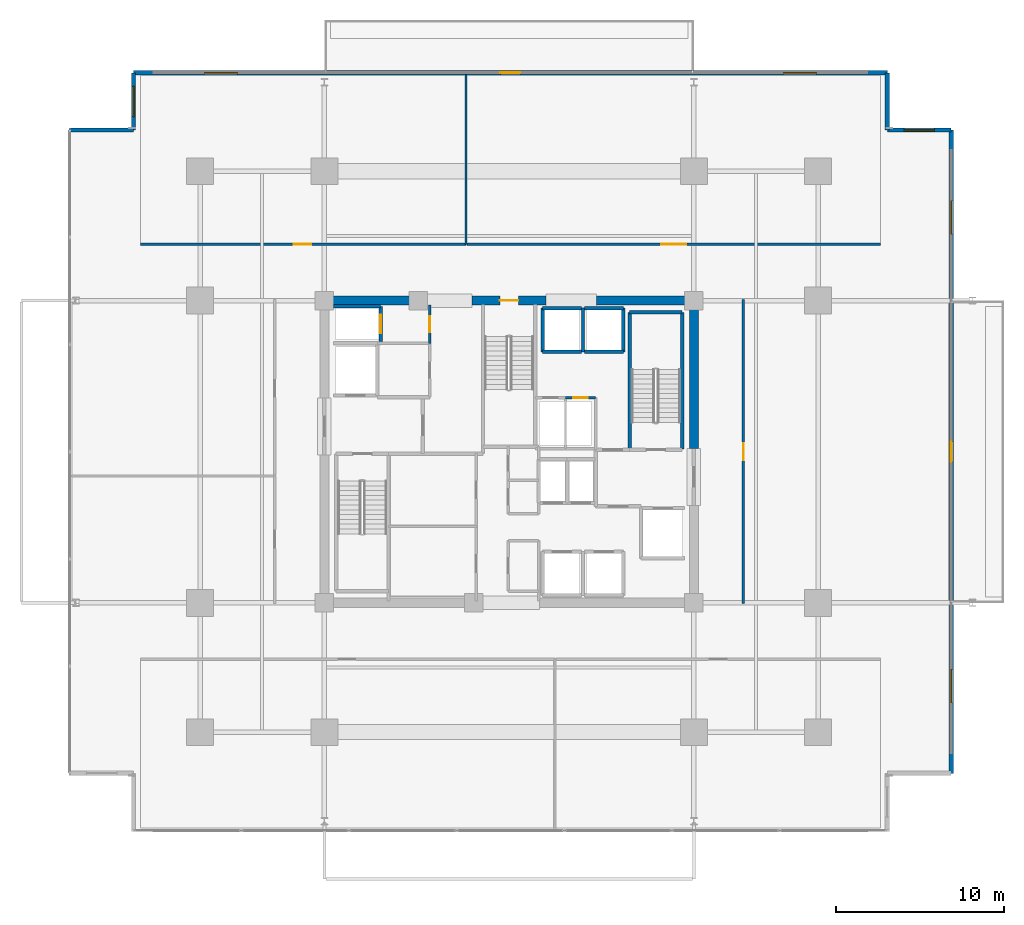
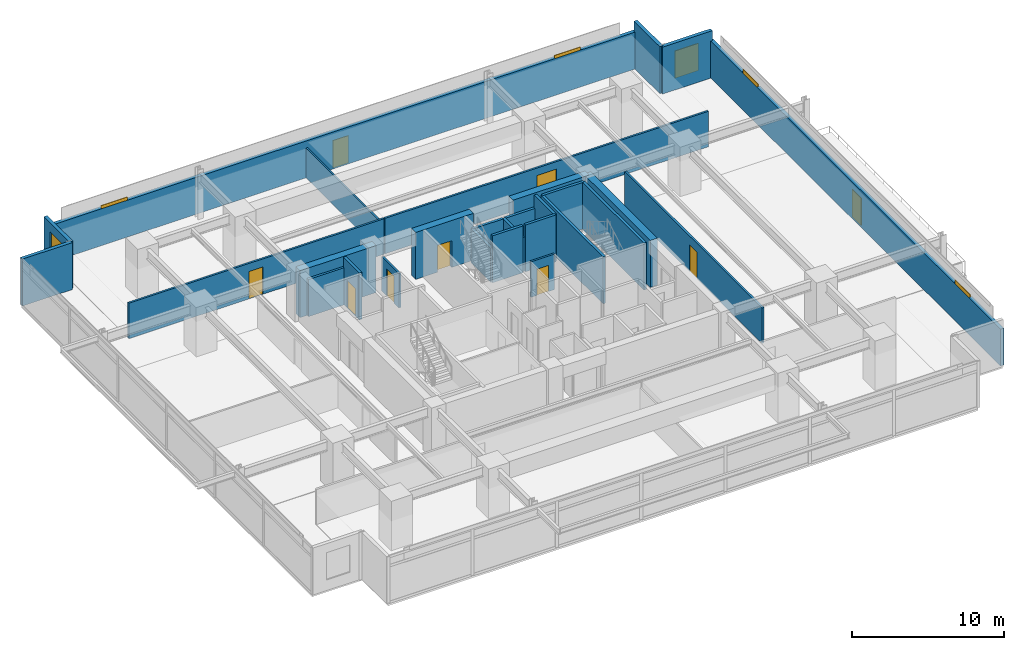
# One storey, part 18 of 24: 28 walls, 9 doors, 6 windows, 15 openings.
"""IFC4 building model written with IfcOpenShell, lengths in metres."""

from ifc_helpers import new_model, si_unit, direction, frame, frame_2d, origin, place, context, subcontext, project, spatial, rectangle, extrude, material, layer, layer_set, type_object, element, fill, save


model = new_model("IFC4")

# Units and contexts
model_context = context("Model", 3, precision=1e-05, world=origin(), true_north=direction((0.0, 1.0)))
body_context = subcontext(model_context, "Body", "Model", "MODEL_VIEW")
ifc_project = project(units=[si_unit("LENGTHUNIT", "METRE"), si_unit("AREAUNIT", "SQUARE_METRE"), si_unit("VOLUMEUNIT", "CUBIC_METRE"), si_unit("PLANEANGLEUNIT", "RADIAN"), si_unit("MASSUNIT", "GRAM", prefix="KILO")], contexts=[model_context])

# Site, building, storey
site_placement = place(None, origin())
site = spatial("IfcSite", under=ifc_project, at=site_placement, CompositionType="ELEMENT")
building_placement = place(site_placement, origin())
building = spatial("IfcBuilding", under=site, at=building_placement, Name="Kovane Verandah Tower", CompositionType="ELEMENT")
storey_placement = place(building_placement, frame((0.0, 0.0, 132.39990234375)))
storey = spatial("IfcBuildingStorey", under=building, at=storey_placement, Name="L30", CompositionType="ELEMENT", Elevation=132.39990234375)

# Wall, opening, door
ifc_material_1 = material(Name="Fire-Rated Gypsum Stud Partition", Category="gypsum")
ifc_layer_1 = layer(ifc_material_1, 0.14990234375)
ifc_layer_set_1 = layer_set([ifc_layer_1], Name="Fire-Rated Gypsum Stud Partition")
wall_type_1 = type_object("IfcWallType", Name="WL-COR-150", PredefinedType="PARTITIONING", material=ifc_layer_set_1)
wall_1_placement = place(storey_placement, frame((35.280029296875, 33.949951171875, 0.0), z_axis=(0.0, 0.0, 1.0), x_axis=(0.0, 1.0, 0.0)))
wall_1 = element("IfcWall", 1, at=wall_1_placement, inside=storey, type_object=wall_type_1, Name="L30 Goods Lift Lobby East Fire Partition", PredefinedType="PARTITIONING", context=body_context, shape_type="SweptSolid", body=[
    extrude(rectangle(XDim=2.27001953125, YDim=0.14990234375, at=frame_2d((1.135009765625, 0.0))), origin(), (0.0, 0.0, 1.0), 2.755126953125),
])
opening_1_placement = place(wall_1_placement, frame((0.659912109375, 0.0, 0.0)))
opening_1 = element("IfcOpeningElement", 2, at=opening_1_placement, cuts=wall_1, Name="Opening DR-L30-008", PredefinedType="OPENING", context=body_context, shape_type="SweptSolid", body=[
    extrude(rectangle(XDim=0.949951171875, YDim=2.14990234375, at=frame_2d((0.47509765625, 1.074951171875))), frame((0.0, 0.074951171875, 0.0), z_axis=(0.0, -1.0, 0.0), x_axis=(1.0, 0.0, 0.0)), (0.0, 0.0, 1.0), 0.14990234375),
])
ifc_material_2 = material(Name="Fire-Rated Steel Refuge and Lobby Door", Category="steel")
door_type_1 = type_object("IfcDoorType", Name="DR-FIRE-950", OperationType="SINGLE_SWING_LEFT", PredefinedType="DOOR", material=ifc_material_2)
door_1_placement = place(opening_1_placement, origin())
door_1 = element("IfcDoor", 3, at=door_1_placement, inside=storey, type_object=door_type_1, Name="L30 Goods Lift Lobby Fire Door", OperationType="SINGLE_SWING_LEFT", OverallHeight=2.14990234375, OverallWidth=0.949951171875, PredefinedType="DOOR", context=body_context, shape_type="SweptSolid", body=[
    extrude(rectangle(XDim=0.949951171875, YDim=2.14990234375, at=frame_2d((0.47509765625, 1.074951171875))), frame((0.0, 0.02490234375, 0.0), z_axis=(0.0, -1.0, 0.0), x_axis=(1.0, 0.0, 0.0)), (0.0, 0.0, 1.0), 0.050048828125),
])
fill(opening_1, door_1)

wall_2_placement = place(storey_placement, frame((43.360107421875, 30.719970703125, 0.0), z_axis=(0.0, 0.0, 1.0), x_axis=(1.0, 0.0, 0.0)))
wall_2 = element("IfcWall", 4, at=wall_2_placement, inside=storey, type_object=wall_type_1, Name="L30 Smoke Extract Duct Room Partition", PredefinedType="PARTITIONING", context=body_context, shape_type="SweptSolid", body=[
    extrude(rectangle(XDim=1.789794921875, YDim=0.14990234375, at=frame_2d((0.89501953125, 0.0))), origin(), (0.0, 0.0, 1.0), 2.85009765625),
])
opening_2_placement = place(wall_2_placement, frame((0.455078125, 0.0, 0.0)))
opening_2 = element("IfcOpeningElement", 5, at=opening_2_placement, cuts=wall_2, Name="Opening DR-L30-016", PredefinedType="OPENING", context=body_context, shape_type="SweptSolid", body=[
    extrude(rectangle(XDim=0.8798828125, YDim=2.10009765625, at=frame_2d((0.43994140625, 1.050048828125))), frame((0.0, 0.074951171875, 0.0), z_axis=(0.0, -1.0, 0.0), x_axis=(1.0, 0.0, 0.0)), (0.0, 0.0, 1.0), 0.14990234375),
])
ifc_material_3 = material(Name="Fire-Rated Steel Riser Access Door", Category="steel")
door_type_2 = type_object("IfcDoorType", Name="DR-RISER-880", OperationType="SINGLE_SWING_LEFT", PredefinedType="DOOR", material=ifc_material_3)
door_2_placement = place(opening_2_placement, origin())
door_2 = element("IfcDoor", 6, at=door_2_placement, inside=storey, type_object=door_type_2, Name="L30 Smoke Extract Duct Room Door", OperationType="SINGLE_SWING_RIGHT", OverallHeight=2.10009765625, OverallWidth=0.8798828125, PredefinedType="DOOR", context=body_context, shape_type="SweptSolid", body=[
    extrude(rectangle(XDim=0.8798828125, YDim=2.10009765625, at=frame_2d((0.43994140625, 1.050048828125))), frame((0.0, 0.02490234375, 0.0), z_axis=(0.0, -1.0, 0.0), x_axis=(1.0, 0.0, 0.0)), (0.0, 0.0, 1.0), 0.050048828125),
])
fill(opening_2, door_2)

wall_3_placement = place(storey_placement, frame((18.03759765625, 39.85009765625, 0.0), z_axis=(0.0, 0.0, 1.0), x_axis=(1.0, 0.0, 0.0)))
wall_3 = element("IfcWall", 7, at=wall_3_placement, inside=storey, type_object=wall_type_1, Name="L30 Executive Office N1 Corridor Partition", PredefinedType="PARTITIONING", context=body_context, shape_type="SweptSolid", body=[
    extrude(rectangle(XDim=19.393798828125, YDim=0.14990234375, at=frame_2d((9.69677734375, 0.0))), origin(), (0.0, 0.0, 1.0), 2.85009765625),
])
opening_3_placement = place(wall_3_placement, frame((9.13671875, 0.0, 0.0)))
opening_3 = element("IfcOpeningElement", 8, at=opening_3_placement, cuts=wall_3, Name="Opening DR-L30-017", PredefinedType="OPENING", context=body_context, shape_type="SweptSolid", body=[
    extrude(rectangle(XDim=1.050048828125, YDim=2.199951171875, at=frame_2d((0.52490234375, 1.10009765625))), frame((0.0, 0.074951171875, 0.0), z_axis=(0.0, -1.0, 0.0), x_axis=(1.0, 0.0, 0.0)), (0.0, 0.0, 1.0), 0.14990234375),
])
ifc_material_4 = material(Name="FSC Blackbutt Timber Fire-Rated Executive Door", Category="wood")
door_type_3 = type_object("IfcDoorType", Name="DR-EXEC-1050", OperationType="SINGLE_SWING_LEFT", PredefinedType="DOOR", material=ifc_material_4)
door_3_placement = place(opening_3_placement, origin())
door_3 = element("IfcDoor", 9, at=door_3_placement, inside=storey, type_object=door_type_3, Name="L30 Executive Office N1 Entrance Door", OperationType="SINGLE_SWING_LEFT", OverallHeight=2.199951171875, OverallWidth=1.050048828125, PredefinedType="DOOR", context=body_context, shape_type="SweptSolid", body=[
    extrude(rectangle(XDim=1.050048828125, YDim=2.199951171875, at=frame_2d((0.52490234375, 1.10009765625))), frame((0.0, 0.02490234375, 0.0), z_axis=(0.0, -1.0, 0.0), x_axis=(1.0, 0.0, 0.0)), (0.0, 0.0, 1.0), 0.050048828125),
])
fill(opening_3, door_3)

wall_4_placement = place(storey_placement, frame((37.501220703125, 39.85009765625, 0.0), z_axis=(0.0, 0.0, 1.0), x_axis=(1.0, 0.0, 0.0)))
wall_4 = element("IfcWall", 10, at=wall_4_placement, inside=storey, type_object=wall_type_1, Name="L30 Client Boardroom N2 Corridor Partition", PredefinedType="PARTITIONING", context=body_context, shape_type="SweptSolid", body=[
    extrude(rectangle(XDim=24.61279296875, YDim=0.14990234375, at=frame_2d((12.306396484375, 0.0))), origin(), (0.0, 0.0, 1.0), 2.85009765625),
])
opening_4_placement = place(wall_4_placement, frame((11.556396484375, 0.0, 0.0)))
opening_4 = element("IfcOpeningElement", 11, at=opening_4_placement, cuts=wall_4, Name="Opening DR-L30-018", PredefinedType="OPENING", context=body_context, shape_type="SweptSolid", body=[
    extrude(rectangle(XDim=1.5, YDim=2.25, at=frame_2d((0.75, 1.125))), frame((0.0, 0.074951171875, 0.0), z_axis=(0.0, -1.0, 0.0), x_axis=(1.0, 0.0, 0.0)), (0.0, 0.0, 1.0), 0.14990234375),
])
ifc_material_5 = material(Name="Glazed Timber Fire-Rated Double Door", Category="wood")
door_type_4 = type_object("IfcDoorType", Name="DR-CONF-1500", OperationType="DOUBLE_DOOR_SINGLE_SWING", PredefinedType="DOOR", material=ifc_material_5)
door_4_placement = place(opening_4_placement, origin())
door_4 = element("IfcDoor", 12, at=door_4_placement, inside=storey, type_object=door_type_4, Name="L30 Client Boardroom N2 Entrance Door", OperationType="DOUBLE_DOOR_SINGLE_SWING", OverallHeight=2.25, OverallWidth=1.5, PredefinedType="DOOR", context=body_context, shape_type="SweptSolid", body=[
    extrude(rectangle(XDim=1.5, YDim=2.25, at=frame_2d((0.75, 1.125))), frame((0.0, 0.02490234375, 0.0), z_axis=(0.0, -1.0, 0.0), x_axis=(1.0, 0.0, 0.0)), (0.0, 0.0, 1.0), 0.050048828125),
])
fill(opening_4, door_4)

wall_5_placement = place(storey_placement, frame((53.949951171875, 18.449951171875, 0.0), z_axis=(0.0, 0.0, 1.0), x_axis=(0.0, 1.0, 0.0)))
wall_5 = element("IfcWall", 13, at=wall_5_placement, inside=storey, type_object=wall_type_1, Name="L30 Document and Print Room E1 Corridor Partition", PredefinedType="PARTITIONING", context=body_context, shape_type="SweptSolid", body=[
    extrude(rectangle(XDim=18.10009765625, YDim=0.14990234375, at=frame_2d((9.050048828125, 0.0))), origin(), (0.0, 0.0, 1.0), 2.85009765625),
])
opening_5_placement = place(wall_5_placement, frame((8.550048828125, 0.0, 0.0)))
opening_5 = element("IfcOpeningElement", 14, at=opening_5_placement, cuts=wall_5, Name="Opening DR-L30-012", PredefinedType="OPENING", context=body_context, shape_type="SweptSolid", body=[
    extrude(rectangle(XDim=1.0, YDim=2.14990234375, at=frame_2d((0.5, 1.074951171875))), frame((0.0, 0.074951171875, 0.0), z_axis=(0.0, -1.0, 0.0), x_axis=(1.0, 0.0, 0.0)), (0.0, 0.0, 1.0), 0.14990234375),
])
ifc_material_6 = material(Name="FSC Spotted-Gum Timber Fire-Rated Office Door", Category="wood")
door_type_5 = type_object("IfcDoorType", Name="DR-OFF-1000", OperationType="SINGLE_SWING_LEFT", PredefinedType="DOOR", material=ifc_material_6)
door_5_placement = place(opening_5_placement, origin())
door_5 = element("IfcDoor", 15, at=door_5_placement, inside=storey, type_object=door_type_5, Name="L30 Document and Print Room E1 Entrance Door", OperationType="SINGLE_SWING_LEFT", OverallHeight=2.14990234375, OverallWidth=1.0, PredefinedType="DOOR", context=body_context, shape_type="SweptSolid", body=[
    extrude(rectangle(XDim=1.0, YDim=2.14990234375, at=frame_2d((0.5, 1.074951171875))), frame((0.0, 0.02490234375, 0.0), z_axis=(0.0, -1.0, 0.0), x_axis=(1.0, 0.0, 0.0)), (0.0, 0.0, 1.0), 0.050048828125),
])
fill(opening_5, door_5)

# Wall
ifc_material_7 = material(Name="Concrete C60/75", Category="concrete")
ifc_layer_2 = layer(ifc_material_7, 0.550048828125)
ifc_layer_set_2 = layer_set([ifc_layer_2], Name="Concrete C60/75")
wall_type_2 = type_object("IfcWallType", Name="WL-CORE-550", PredefinedType="SHEAR", material=ifc_layer_set_2)
wall_6_placement = place(storey_placement, frame((29.0, 36.5, 0.0), z_axis=(0.0, 0.0, 1.0), x_axis=(1.0, 0.0, 0.0)))
element("IfcWall", 16, at=wall_6_placement, inside=storey, type_object=wall_type_2, Name="L30 Core Shear Wall CN-1", PredefinedType="SHEAR", context=body_context, shape_type="SweptSolid", body=[
    extrude(rectangle(XDim=5.800048828125, YDim=0.550048828125, at=frame_2d((2.89990234375, 0.0))), origin(), (0.0, 0.0, 1.0), 3.775146484375),
])

# Wall, opening, door
wall_7_placement = place(storey_placement, frame((37.800048828125, 36.5, 0.0), z_axis=(0.0, 0.0, 1.0), x_axis=(1.0, 0.0, 0.0)))
wall_7 = element("IfcWall", 17, at=wall_7_placement, inside=storey, type_object=wall_type_2, Name="L30 Core Shear Wall CN-2", PredefinedType="SHEAR", context=body_context, shape_type="SweptSolid", body=[
    extrude(rectangle(XDim=4.39990234375, YDim=0.550048828125, at=frame_2d((2.199951171875, 0.0))), origin(), (0.0, 0.0, 1.0), 3.775146484375),
])
opening_6_placement = place(wall_7_placement, frame((1.64990234375, 0.0, 0.0)))
opening_6 = element("IfcOpeningElement", 18, at=opening_6_placement, cuts=wall_7, Name="Opening DR-L30-011", PredefinedType="OPENING", context=body_context, shape_type="SweptSolid", body=[
    extrude(rectangle(XDim=1.10009765625, YDim=2.14990234375, at=frame_2d((0.550048828125, 1.074951171875))), frame((0.0, 0.27490234375, 0.0), z_axis=(0.0, -1.0, 0.0), x_axis=(1.0, 0.0, 0.0)), (0.0, 0.0, 1.0), 0.550048828125),
])
ifc_material_8 = material(Name="Fire-Rated Steel Exit Door", Category="steel")
door_type_6 = type_object("IfcDoorType", Name="DR-STAIR-1100", OperationType="SINGLE_SWING_LEFT", PredefinedType="DOOR", material=ifc_material_8)
door_6_placement = place(opening_6_placement, origin())
door_6 = element("IfcDoor", 19, at=door_6_placement, inside=storey, type_object=door_type_6, Name="L30 ST-03 Fire Exit Stair Door", OperationType="SINGLE_SWING_LEFT", OverallHeight=2.14990234375, OverallWidth=1.10009765625, PredefinedType="DOOR", context=body_context, shape_type="SweptSolid", body=[
    extrude(rectangle(XDim=1.10009765625, YDim=2.14990234375, at=frame_2d((0.550048828125, 1.074951171875))), frame((0.0, 0.02490234375, 0.0), z_axis=(0.0, -1.0, 0.0), x_axis=(1.0, 0.0, 0.0)), (0.0, 0.0, 1.0), 0.050048828125),
])
fill(opening_6, door_6)

# Walls
wall_8_placement = place(storey_placement, frame((45.199951171875, 36.5, 0.0), z_axis=(0.0, 0.0, 1.0), x_axis=(1.0, 0.0, 0.0)))
element("IfcWall", 20, at=wall_8_placement, inside=storey, type_object=wall_type_2, Name="L30 Core Shear Wall CN-3", PredefinedType="SHEAR", context=body_context, shape_type="SweptSolid", body=[
    extrude(rectangle(XDim=5.800048828125, YDim=0.550048828125, at=frame_2d((2.89990234375, 0.0))), origin(), (0.0, 0.0, 1.0), 3.775146484375),
])
wall_9_placement = place(storey_placement, frame((51.0, 27.699951171875, 0.0), z_axis=(0.0, 0.0, 1.0), x_axis=(0.0, 1.0, 0.0)))
element("IfcWall", 21, at=wall_9_placement, inside=storey, type_object=wall_type_2, Name="L30 Core Shear Wall CE-2", PredefinedType="SHEAR", context=body_context, shape_type="SweptSolid", body=[
    extrude(rectangle(XDim=8.800048828125, YDim=0.550048828125, at=frame_2d((4.39990234375, 0.0))), origin(), (0.0, 0.0, 1.0), 3.775146484375),
])
ifc_material_9 = material(Name="Concrete C45/55 Lift Shaft Wall", Category="concrete")
ifc_layer_3 = layer(ifc_material_9, 0.199951171875)
ifc_layer_set_3 = layer_set([ifc_layer_3], Name="Concrete C45/55 Lift Shaft Wall")
wall_type_3 = type_object("IfcWallType", Name="WL-LIFT-200", PredefinedType="SOLIDWALL", material=ifc_layer_set_3)
wall_10_placement = place(storey_placement, frame((32.35009765625, 36.14990234375, 0.0), z_axis=(0.0, 0.0, 1.0), x_axis=(-1.0, 0.0, 0.0)))
element("IfcWall", 22, at=wall_10_placement, inside=storey, type_object=wall_type_3, Name="L30 Lift GL-01 N Shaft Wall", PredefinedType="SOLIDWALL", context=body_context, shape_type="SweptSolid", body=[
    extrude(rectangle(XDim=2.800048828125, YDim=0.199951171875, at=frame_2d((1.39990234375, 0.0))), origin(), (0.0, 0.0, 1.0), 2.9853515625),
])

# Wall, opening, door
wall_11_placement = place(storey_placement, frame((32.35009765625, 34.050048828125, 0.0), z_axis=(0.0, 0.0, 1.0), x_axis=(0.0, 1.0, 0.0)))
wall_11 = element("IfcWall", 23, at=wall_11_placement, inside=storey, type_object=wall_type_3, Name="L30 Lift GL-01 E Shaft Wall", PredefinedType="SOLIDWALL", context=body_context, shape_type="SweptSolid", body=[
    extrude(rectangle(XDim=2.099853515625, YDim=0.199951171875, at=frame_2d((1.0498046875, 0.0))), origin(), (0.0, 0.0, 1.0), 3.775146484375),
])
opening_7_placement = place(wall_11_placement, frame((0.5, 0.0, 0.0)))
opening_7 = element("IfcOpeningElement", 24, at=opening_7_placement, cuts=wall_11, Name="Opening LD-L30-003", PredefinedType="OPENING", context=body_context, shape_type="SweptSolid", body=[
    extrude(rectangle(XDim=1.10009765625, YDim=2.199951171875, at=frame_2d((0.550048828125, 1.10009765625))), frame((0.0, 0.10009765625, 0.0), z_axis=(0.0, -1.0, 0.0), x_axis=(1.0, 0.0, 0.0)), (0.0, 0.0, 1.0), 0.199951171875),
])
ifc_material_10 = material(Name="Brushed Stainless Steel Sliding Lift Landing Door", Category="steel")
door_type_7 = type_object("IfcDoorType", Name="DR-LIFT-1100", OperationType="SLIDING_TO_RIGHT", PredefinedType="DOOR", material=ifc_material_10)
door_7_placement = place(opening_7_placement, origin())
door_7 = element("IfcDoor", 25, at=door_7_placement, inside=storey, type_object=door_type_7, Name="L30 Lift GL-01 Sliding Landing Door", OperationType="SLIDING_TO_RIGHT", OverallHeight=2.199951171875, OverallWidth=1.10009765625, PredefinedType="DOOR", context=body_context, shape_type="SweptSolid", body=[
    extrude(rectangle(XDim=1.10009765625, YDim=2.199951171875, at=frame_2d((0.550048828125, 1.10009765625))), frame((0.0, 0.02490234375, 0.0), z_axis=(0.0, -1.0, 0.0), x_axis=(1.0, 0.0, 0.0)), (0.0, 0.0, 1.0), 0.050048828125),
])
fill(opening_7, door_7)

# Walls
wall_12_placement = place(storey_placement, frame((42.0, 33.449951171875, 0.0), z_axis=(0.0, 0.0, 1.0), x_axis=(1.0, 0.0, 0.0)))
element("IfcWall", 26, at=wall_12_placement, inside=storey, type_object=wall_type_3, Name="L30 Lift SL-01 S Shaft Wall", PredefinedType="SOLIDWALL", context=body_context, shape_type="SweptSolid", body=[
    extrude(rectangle(XDim=2.300048828125, YDim=0.199951171875, at=frame_2d((1.14990234375, 0.0))), origin(), (0.0, 0.0, 1.0), 3.775146484375),
])
wall_13_placement = place(storey_placement, frame((44.300048828125, 36.050048828125, 0.0), z_axis=(0.0, 0.0, 1.0), x_axis=(-1.0, 0.0, 0.0)))
element("IfcWall", 27, at=wall_13_placement, inside=storey, type_object=wall_type_3, Name="L30 Lift SL-01 N Shaft Wall", PredefinedType="SOLIDWALL", context=body_context, shape_type="SweptSolid", body=[
    extrude(rectangle(XDim=2.300048828125, YDim=0.199951171875, at=frame_2d((1.14990234375, 0.0))), origin(), (0.0, 0.0, 1.0), 2.755126953125),
])
for number, where, z_axis, x_axis, name in (
    (28, (42.0, 36.050048828125, 0.0), (0.0, 0.0, 1.0), (0.0, -1.0, 0.0), "L30 Lift SL-01 W Shaft Wall"),
    (29, (44.39990234375, 33.449951171875, 0.0), (0.0, 0.0, 1.0), (0.0, 1.0, 0.0), "L30 Lift OL-01 and SL-01 Shared Shaft Wall"),
):
    element("IfcWall", number, at=place(storey_placement, frame(where, z_axis=z_axis, x_axis=x_axis)), inside=storey, type_object=wall_type_3, Name=name, PredefinedType="SOLIDWALL", context=body_context, shape_type="SweptSolid", body=[
        extrude(rectangle(XDim=2.60009765625, YDim=0.199951171875, at=frame_2d((1.300048828125, 0.0))), origin(), (0.0, 0.0, 1.0), 2.755126953125),
    ])
wall_14_placement = place(storey_placement, frame((44.5, 33.449951171875, 0.0), z_axis=(0.0, 0.0, 1.0), x_axis=(1.0, 0.0, 0.0)))
element("IfcWall", 30, at=wall_14_placement, inside=storey, type_object=wall_type_3, Name="L30 Lift OL-01 S Shaft Wall", PredefinedType="SOLIDWALL", context=body_context, shape_type="SweptSolid", body=[
    extrude(rectangle(XDim=2.300048828125, YDim=0.199951171875, at=frame_2d((1.14990234375, 0.0))), origin(), (0.0, 0.0, 1.0), 3.775146484375),
])
wall_15_placement = place(storey_placement, frame((46.800048828125, 36.050048828125, 0.0), z_axis=(0.0, 0.0, 1.0), x_axis=(-1.0, 0.0, 0.0)))
element("IfcWall", 31, at=wall_15_placement, inside=storey, type_object=wall_type_3, Name="L30 Lift OL-01 N Shaft Wall", PredefinedType="SOLIDWALL", context=body_context, shape_type="SweptSolid", body=[
    extrude(rectangle(XDim=2.300048828125, YDim=0.199951171875, at=frame_2d((1.14990234375, 0.0))), origin(), (0.0, 0.0, 1.0), 2.755126953125),
])
wall_16_placement = place(storey_placement, frame((46.800048828125, 33.449951171875, 0.0), z_axis=(0.0, 0.0, 1.0), x_axis=(0.0, 1.0, 0.0)))
element("IfcWall", 32, at=wall_16_placement, inside=storey, type_object=wall_type_3, Name="L30 Lift OL-01 E Shaft Wall", PredefinedType="SOLIDWALL", context=body_context, shape_type="SweptSolid", body=[
    extrude(rectangle(XDim=2.60009765625, YDim=0.199951171875, at=frame_2d((1.300048828125, 0.0))), origin(), (0.0, 0.0, 1.0), 3.775146484375),
])
ifc_material_11 = material(Name="Acoustic Fire-Rated Gypsum Partition", Category="gypsum")
ifc_layer_4 = layer(ifc_material_11, 0.1201171875)
ifc_layer_set_4 = layer_set([ifc_layer_4], Name="Acoustic Fire-Rated Gypsum Partition")
wall_type_4 = type_object("IfcWallType", Name="WL-PART-120", PredefinedType="PARTITIONING", material=ifc_layer_set_4)
wall_17_placement = place(storey_placement, frame((37.431396484375, 39.85009765625, 0.0), z_axis=(0.0, 0.0, 1.0), x_axis=(0.0, 1.0, 0.0)))
element("IfcWall", 33, at=wall_17_placement, inside=storey, type_object=wall_type_4, Name="L30 Executive Office N1 Dividing Partition", PredefinedType="PARTITIONING", context=body_context, shape_type="SweptSolid", body=[
    extrude(rectangle(XDim=10.103515625, YDim=0.1201171875, at=frame_2d((5.0517578125, 0.0))), origin(), (0.0, 0.0, 1.0), 2.405029296875),
])
ifc_material_12 = material(Name="Concrete C45/55", Category="concrete")
ifc_layer_5 = layer(ifc_material_12, 0.199951171875)
ifc_layer_set_5 = layer_set([ifc_layer_5], Name="Concrete C45/55")
wall_type_5 = type_object("IfcWallType", Name="WL-SHAFT-200", PredefinedType="SOLIDWALL", material=ifc_layer_set_5)
wall_18_placement = place(storey_placement, frame((50.300048828125, 27.64990234375, 0.0), z_axis=(0.0, 0.0, 1.0), x_axis=(0.0, 1.0, 0.0)))
element("IfcWall", 34, at=wall_18_placement, inside=storey, type_object=wall_type_5, Name="W-L30-ST02-E", PredefinedType="SOLIDWALL", context=body_context, shape_type="SweptSolid", body=[
    extrude(rectangle(XDim=8.150146484375, YDim=0.199951171875, at=frame_2d((4.0751953125, 0.0))), origin(), (0.0, 0.0, 1.0), 3.775146484375),
])
wall_19_placement = place(storey_placement, frame((47.179931640625, 35.800048828125, 0.0), z_axis=(0.0, 0.0, 1.0), x_axis=(1.0, 0.0, 0.0)))
element("IfcWall", 35, at=wall_19_placement, inside=storey, type_object=wall_type_5, Name="W-L30-ST02-N", PredefinedType="SOLIDWALL", context=body_context, shape_type="SweptSolid", body=[
    extrude(rectangle(XDim=3.1201171875, YDim=0.199951171875, at=frame_2d((1.56005859375, 0.0))), origin(), (0.0, 0.0, 1.0), 3.775146484375),
])
wall_20_placement = place(storey_placement, frame((47.179931640625, 27.6201171875, 0.0), z_axis=(0.0, 0.0, 1.0), x_axis=(0.0, 1.0, 0.0)))
element("IfcWall", 36, at=wall_20_placement, inside=storey, type_object=wall_type_5, Name="W-L30-ST02-W", PredefinedType="SOLIDWALL", context=body_context, shape_type="SweptSolid", body=[
    extrude(rectangle(XDim=8.179931640625, YDim=0.199951171875, at=frame_2d((4.08984375, 0.0))), origin(), (0.0, 0.0, 1.0), 3.775146484375),
])

# Wall, openings, door, windows
ifc_material_13 = material(Name="Concrete C45/55 Insulated Spandrel Wall", Category="concrete")
ifc_layer_6 = layer(ifc_material_13, 0.260009765625)
ifc_layer_set_6 = layer_set([ifc_layer_6], Name="Concrete C45/55 Insulated Spandrel Wall")
wall_type_6 = type_object("IfcWallType", Name="WL-SPANDREL-260", PredefinedType="PARAPET", material=ifc_layer_set_6)
wall_21_placement = place(storey_placement, frame((66.314208984375, 8.34619140625, 0.0), z_axis=(0.0, 0.0, 1.0), x_axis=(0.0, 1.0, 0.0)))
wall_21 = element("IfcWall", 37, at=wall_21_placement, inside=storey, type_object=wall_type_6, Name="L30 E Verandah Access Facade Wall", PredefinedType="PARAPET", context=body_context, shape_type="SweptSolid", body=[
    extrude(rectangle(XDim=38.3076171875, YDim=0.260009765625, at=frame_2d((19.15380859375, 0.0))), origin(), (0.0, 0.0, 1.0), 2.97021484375),
])
opening_8_placement = place(wall_21_placement, frame((4.199951171875, 0.0, 0.85009765625)))
opening_8 = element("IfcOpeningElement", 38, at=opening_8_placement, cuts=wall_21, Name="Opening W-04", PredefinedType="OPENING", context=body_context, shape_type="SweptSolid", body=[
    extrude(rectangle(XDim=2.0, YDim=2.300048828125, at=frame_2d((1.0, 1.14990234375))), frame((0.0, 0.1298828125, 0.0), z_axis=(0.0, -1.0, 0.0), x_axis=(1.0, 0.0, 0.0)), (0.0, 0.0, 1.0), 0.260009765625),
])
opening_9_placement = place(wall_21_placement, frame((18.5537109375, 0.0, 0.0)))
opening_9 = element("IfcOpeningElement", 39, at=opening_9_placement, cuts=wall_21, Name="Opening DR-L30-001", PredefinedType="OPENING", context=body_context, shape_type="SweptSolid", body=[
    extrude(rectangle(XDim=1.199951171875, YDim=2.199951171875, at=frame_2d((0.60009765625, 1.10009765625))), frame((0.0, 0.1298828125, 0.0), z_axis=(0.0, -1.0, 0.0), x_axis=(1.0, 0.0, 0.0)), (0.0, 0.0, 1.0), 0.260009765625),
])
opening_10_placement = place(wall_21_placement, frame((32.107421875, 0.0, 0.85009765625)))
opening_10 = element("IfcOpeningElement", 40, at=opening_10_placement, cuts=wall_21, Name="Opening W-04", PredefinedType="OPENING", context=body_context, shape_type="SweptSolid", body=[
    extrude(rectangle(XDim=2.0, YDim=2.300048828125, at=frame_2d((1.0, 1.14990234375))), frame((0.0, 0.1298828125, 0.0), z_axis=(0.0, -1.0, 0.0), x_axis=(1.0, 0.0, 0.0)), (0.0, 0.0, 1.0), 0.260009765625),
])
ifc_material_14 = material(Name="Cyclone-Rated Glazed Balcony Leaf Door", Category="aluminium")
door_type_8 = type_object("IfcDoorType", Name="DR-BAL-1200x2200", OperationType="SINGLE_SWING_LEFT", PredefinedType="DOOR", material=ifc_material_14)
door_8_placement = place(opening_9_placement, origin())
door_8 = element("IfcDoor", 41, at=door_8_placement, inside=storey, type_object=door_type_8, Name="L30 E Planted Balcony Access Door", OperationType="SINGLE_SWING_LEFT", OverallHeight=2.199951171875, OverallWidth=1.199951171875, PredefinedType="DOOR", context=body_context, shape_type="SweptSolid", body=[
    extrude(rectangle(XDim=1.199951171875, YDim=2.199951171875, at=frame_2d((0.60009765625, 1.10009765625))), frame((0.0, 0.02490234375, 0.0), z_axis=(0.0, -1.0, 0.0), x_axis=(1.0, 0.0, 0.0)), (0.0, 0.0, 1.0), 0.050048828125),
])
fill(opening_9, door_8)
ifc_material_15 = material(Name="Clear Low-E Laminated Double Glazing in Anodised Frame", Category="glass")
window_type_1 = type_object("IfcWindowType", Name="WN-FIXED-2000x2300", PartitioningType="SINGLE_PANEL", PredefinedType="WINDOW", material=ifc_material_15)
window_1_placement = place(opening_8_placement, origin())
window_1 = element("IfcWindow", 42, at=window_1_placement, inside=storey, type_object=window_type_1, Name="L30 E Verandah View Window 1", OverallHeight=2.300048828125, OverallWidth=2.0, PartitioningType="SINGLE_PANEL", PredefinedType="WINDOW", context=body_context, shape_type="SweptSolid", body=[
    extrude(rectangle(XDim=2.0, YDim=2.300048828125, at=frame_2d((1.0, 1.14990234375))), frame((0.0, 0.030029296875, 0.0), z_axis=(0.0, -1.0, 0.0), x_axis=(1.0, 0.0, 0.0)), (0.0, 0.0, 1.0), 0.06005859375),
])
fill(opening_8, window_1)
window_2_placement = place(opening_10_placement, origin())
window_2 = element("IfcWindow", 43, at=window_2_placement, inside=storey, type_object=window_type_1, Name="L30 E Verandah View Window 2", OverallHeight=2.300048828125, OverallWidth=2.0, PartitioningType="SINGLE_PANEL", PredefinedType="WINDOW", context=body_context, shape_type="SweptSolid", body=[
    extrude(rectangle(XDim=2.0, YDim=2.300048828125, at=frame_2d((1.0, 1.14990234375))), frame((0.0, 0.030029296875, 0.0), z_axis=(0.0, -1.0, 0.0), x_axis=(1.0, 0.0, 0.0)), (0.0, 0.0, 1.0), 0.06005859375),
])
fill(opening_10, window_2)

wall_22_placement = place(storey_placement, frame((62.51416015625, 50.0537109375, 0.0), z_axis=(0.0, 0.0, 1.0), x_axis=(-1.0, 0.0, 0.0)))
wall_22 = element("IfcWall", 44, at=wall_22_placement, inside=storey, type_object=wall_type_6, Name="L30 N Verandah Access Facade Wall", PredefinedType="PARAPET", context=body_context, shape_type="SweptSolid", body=[
    extrude(rectangle(XDim=44.87646484375, YDim=0.260009765625, at=frame_2d((22.438232421875, 0.0))), origin(), (0.0, 0.0, 1.0), 2.97021484375),
])
opening_11_placement = place(wall_22_placement, frame((4.199951171875, 0.0, 0.85009765625)))
opening_11 = element("IfcOpeningElement", 45, at=opening_11_placement, cuts=wall_22, Name="Opening W-04", PredefinedType="OPENING", context=body_context, shape_type="SweptSolid", body=[
    extrude(rectangle(XDim=2.0, YDim=2.300048828125, at=frame_2d((1.0, 1.14990234375))), frame((0.0, 0.1298828125, 0.0), z_axis=(0.0, -1.0, 0.0), x_axis=(1.0, 0.0, 0.0)), (0.0, 0.0, 1.0), 0.260009765625),
])
opening_12_placement = place(wall_22_placement, frame((21.838134765625, 0.0, 0.0)))
opening_12 = element("IfcOpeningElement", 46, at=opening_12_placement, cuts=wall_22, Name="Opening DR-L30-002", PredefinedType="OPENING", context=body_context, shape_type="SweptSolid", body=[
    extrude(rectangle(XDim=1.199951171875, YDim=2.199951171875, at=frame_2d((0.60009765625, 1.10009765625))), frame((0.0, 0.1298828125, 0.0), z_axis=(0.0, -1.0, 0.0), x_axis=(1.0, 0.0, 0.0)), (0.0, 0.0, 1.0), 0.260009765625),
])
opening_13_placement = place(wall_22_placement, frame((38.676513671875, 0.0, 0.85009765625)))
opening_13 = element("IfcOpeningElement", 47, at=opening_13_placement, cuts=wall_22, Name="Opening W-04", PredefinedType="OPENING", context=body_context, shape_type="SweptSolid", body=[
    extrude(rectangle(XDim=2.0, YDim=2.300048828125, at=frame_2d((1.0, 1.14990234375))), frame((0.0, 0.1298828125, 0.0), z_axis=(0.0, -1.0, 0.0), x_axis=(1.0, 0.0, 0.0)), (0.0, 0.0, 1.0), 0.260009765625),
])
door_9_placement = place(opening_12_placement, origin())
door_9 = element("IfcDoor", 48, at=door_9_placement, inside=storey, type_object=door_type_8, Name="L30 N Planted Balcony Access Door", OperationType="SINGLE_SWING_LEFT", OverallHeight=2.199951171875, OverallWidth=1.199951171875, PredefinedType="DOOR", context=body_context, shape_type="SweptSolid", body=[
    extrude(rectangle(XDim=1.199951171875, YDim=2.199951171875, at=frame_2d((0.60009765625, 1.10009765625))), frame((0.0, 0.02490234375, 0.0), z_axis=(0.0, -1.0, 0.0), x_axis=(1.0, 0.0, 0.0)), (0.0, 0.0, 1.0), 0.050048828125),
])
fill(opening_12, door_9)
window_3_placement = place(opening_11_placement, origin())
window_3 = element("IfcWindow", 49, at=window_3_placement, inside=storey, type_object=window_type_1, Name="L30 N Verandah View Window 1", OverallHeight=2.300048828125, OverallWidth=2.0, PartitioningType="SINGLE_PANEL", PredefinedType="WINDOW", context=body_context, shape_type="SweptSolid", body=[
    extrude(rectangle(XDim=2.0, YDim=2.300048828125, at=frame_2d((1.0, 1.14990234375))), frame((0.0, 0.030029296875, 0.0), z_axis=(0.0, -1.0, 0.0), x_axis=(1.0, 0.0, 0.0)), (0.0, 0.0, 1.0), 0.06005859375),
])
fill(opening_11, window_3)
window_4_placement = place(opening_13_placement, origin())
window_4 = element("IfcWindow", 50, at=window_4_placement, inside=storey, type_object=window_type_1, Name="L30 N Verandah View Window 2", OverallHeight=2.300048828125, OverallWidth=2.0, PartitioningType="SINGLE_PANEL", PredefinedType="WINDOW", context=body_context, shape_type="SweptSolid", body=[
    extrude(rectangle(XDim=2.0, YDim=2.300048828125, at=frame_2d((1.0, 1.14990234375))), frame((0.0, 0.030029296875, 0.0), z_axis=(0.0, -1.0, 0.0), x_axis=(1.0, 0.0, 0.0)), (0.0, 0.0, 1.0), 0.06005859375),
])
fill(opening_13, window_4)

# Wall, opening, window
wall_23_placement = place(storey_placement, frame((66.314208984375, 46.65380859375, 0.0), z_axis=(0.0, 0.0, 1.0), x_axis=(-1.0, 0.0, 0.0)))
wall_23 = element("IfcWall", 51, at=wall_23_placement, inside=storey, type_object=wall_type_6, Name="L30 NE Notch Cheek Wall 1", PredefinedType="PARAPET", context=body_context, shape_type="SweptSolid", body=[
    extrude(rectangle(XDim=3.800048828125, YDim=0.260009765625, at=frame_2d((1.89990234375, 0.0))), origin(), (0.0, 0.0, 1.0), 3.775146484375),
])
opening_14_placement = place(wall_23_placement, frame((1.0, 0.0, 0.85009765625)))
opening_14 = element("IfcOpeningElement", 52, at=opening_14_placement, cuts=wall_23, Name="Opening W-03", PredefinedType="OPENING", context=body_context, shape_type="SweptSolid", body=[
    extrude(rectangle(XDim=1.800048828125, YDim=2.199951171875, at=frame_2d((0.89990234375, 1.10009765625))), frame((0.0, 0.1298828125, 0.0), z_axis=(0.0, -1.0, 0.0), x_axis=(1.0, 0.0, 0.0)), (0.0, 0.0, 1.0), 0.260009765625),
])
window_type_2 = type_object("IfcWindowType", Name="WN-NOTCH-1800x2200", PartitioningType="SINGLE_PANEL", PredefinedType="WINDOW", material=ifc_material_15)
window_5_placement = place(opening_14_placement, origin())
window_5 = element("IfcWindow", 53, at=window_5_placement, inside=storey, type_object=window_type_2, Name="L30 NE Re-Entrant Corner Operable Window", OverallHeight=2.199951171875, OverallWidth=1.800048828125, PartitioningType="SINGLE_PANEL", PredefinedType="WINDOW", context=body_context, shape_type="SweptSolid", body=[
    extrude(rectangle(XDim=1.800048828125, YDim=2.199951171875, at=frame_2d((0.89990234375, 1.10009765625))), frame((0.0, 0.030029296875, 0.0), z_axis=(0.0, -1.0, 0.0), x_axis=(1.0, 0.0, 0.0)), (0.0, 0.0, 1.0), 0.06005859375),
])
fill(opening_14, window_5)

# Wall
wall_24_placement = place(storey_placement, frame((62.51416015625, 46.65380859375, 0.0), z_axis=(0.0, 0.0, 1.0), x_axis=(0.0, 1.0, 0.0)))
element("IfcWall", 54, at=wall_24_placement, inside=storey, type_object=wall_type_6, Name="L30 NE Notch Cheek Wall 2", PredefinedType="PARAPET", context=body_context, shape_type="SweptSolid", body=[
    extrude(rectangle(XDim=3.39990234375, YDim=0.260009765625, at=frame_2d((1.699951171875, 0.0))), origin(), (0.0, 0.0, 1.0), 3.775146484375),
])

# Wall, opening, window
wall_25_placement = place(storey_placement, frame((17.6376953125, 50.0537109375, 0.0), z_axis=(0.0, 0.0, 1.0), x_axis=(0.0, -1.0, 0.0)))
wall_25 = element("IfcWall", 55, at=wall_25_placement, inside=storey, type_object=wall_type_6, Name="L30 NW Notch Cheek Wall 1", PredefinedType="PARAPET", context=body_context, shape_type="SweptSolid", body=[
    extrude(rectangle(XDim=3.39990234375, YDim=0.260009765625, at=frame_2d((1.699951171875, 0.0))), origin(), (0.0, 0.0, 1.0), 3.775146484375),
])
opening_15_placement = place(wall_25_placement, frame((0.800048828125, 0.0, 0.85009765625)))
opening_15 = element("IfcOpeningElement", 56, at=opening_15_placement, cuts=wall_25, Name="Opening W-03", PredefinedType="OPENING", context=body_context, shape_type="SweptSolid", body=[
    extrude(rectangle(XDim=1.800048828125, YDim=2.199951171875, at=frame_2d((0.89990234375, 1.10009765625))), frame((0.0, 0.1298828125, 0.0), z_axis=(0.0, -1.0, 0.0), x_axis=(1.0, 0.0, 0.0)), (0.0, 0.0, 1.0), 0.260009765625),
])
window_6_placement = place(opening_15_placement, origin())
window_6 = element("IfcWindow", 57, at=window_6_placement, inside=storey, type_object=window_type_2, Name="L30 NW Re-Entrant Corner Operable Window", OverallHeight=2.199951171875, OverallWidth=1.800048828125, PartitioningType="SINGLE_PANEL", PredefinedType="WINDOW", context=body_context, shape_type="SweptSolid", body=[
    extrude(rectangle(XDim=1.800048828125, YDim=2.199951171875, at=frame_2d((0.89990234375, 1.10009765625))), frame((0.0, 0.030029296875, 0.0), z_axis=(0.0, -1.0, 0.0), x_axis=(1.0, 0.0, 0.0)), (0.0, 0.0, 1.0), 0.06005859375),
])
fill(opening_15, window_6)

# Wall
wall_26_placement = place(storey_placement, frame((17.6376953125, 46.65380859375, 0.0), z_axis=(0.0, 0.0, 1.0), x_axis=(-1.0, 0.0, 0.0)))
element("IfcWall", 58, at=wall_26_placement, inside=storey, type_object=wall_type_6, Name="L30 NW Notch Cheek Wall 2", PredefinedType="PARAPET", context=body_context, shape_type="SweptSolid", body=[
    extrude(rectangle(XDim=3.800048828125, YDim=0.260009765625, at=frame_2d((1.89990234375, 0.0))), origin(), (0.0, 0.0, 1.0), 3.775146484375),
])

save(model, "model.ifc")
